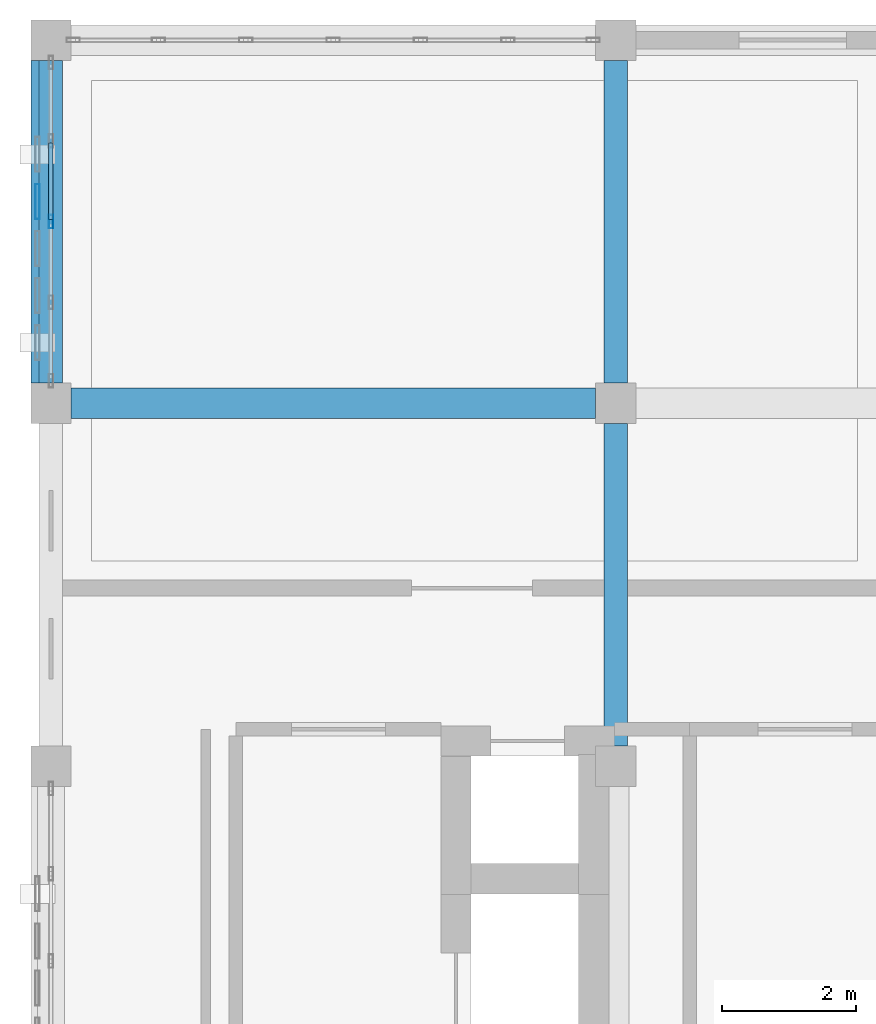
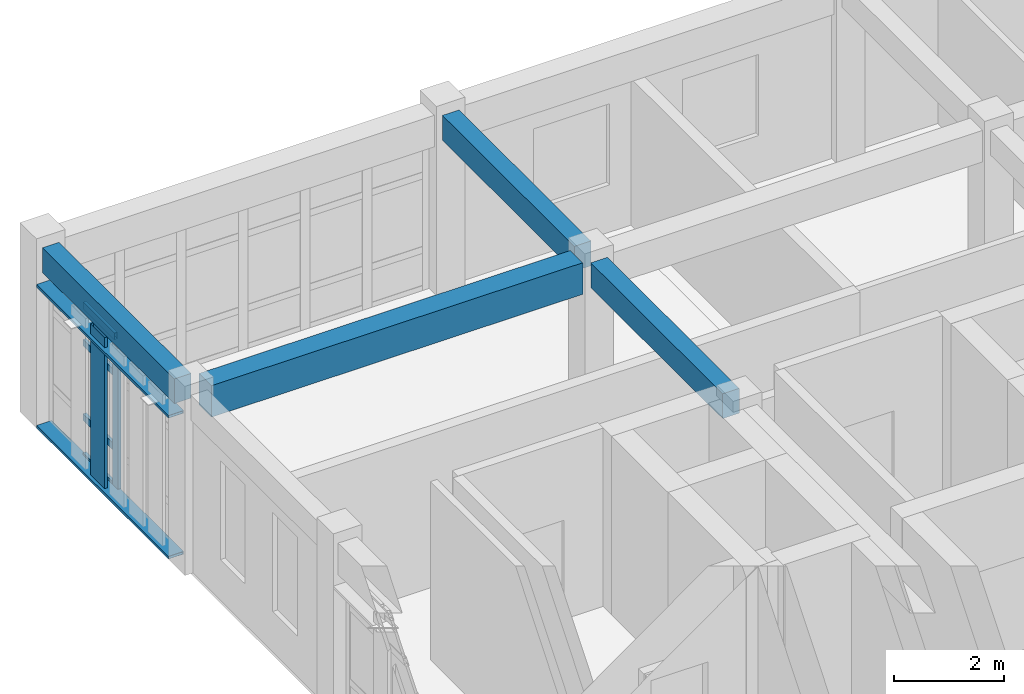
# One storey, part 10 of 21: 8 members, 4 beams, 1 element without a shape of its own.
"""IFC4 building model written with IfcOpenShell, lengths in metres."""

from ifc_helpers import new_model, si_unit, direction, frame, origin, origin_2d, place, context, subcontext, project, spatial, rectangle, hollow_rectangle, extrude, material, layer, layer_set, material_profile, profile_set, type_object, element, aggregate, save


model = new_model("IFC4")

# Units and contexts
model_context = context("Model", 3, precision=1e-05, world=origin(), true_north=direction((0.0, 1.0)))
body_context = subcontext(model_context, "Body", "Model", "MODEL_VIEW")
ifc_project = project(units=[si_unit("LENGTHUNIT", "METRE"), si_unit("AREAUNIT", "SQUARE_METRE"), si_unit("VOLUMEUNIT", "CUBIC_METRE"), si_unit("PLANEANGLEUNIT", "RADIAN"), si_unit("MASSUNIT", "GRAM", prefix="KILO")], contexts=[model_context])

# Site, building, storey
site_placement = place(None, origin())
site = spatial("IfcSite", under=ifc_project, at=site_placement, CompositionType="ELEMENT")
building_placement = place(site_placement, origin())
building = spatial("IfcBuilding", under=site, at=building_placement, Name="Krzemoval Escarpment Law Courts", CompositionType="ELEMENT")
storey_placement = place(building_placement, frame((0.0, 0.0, 37.800048828125)))
storey = spatial("IfcBuildingStorey", under=building, at=storey_placement, Name="L08", CompositionType="ELEMENT", Elevation=37.800048828125)

# Beams
ifc_material_1 = material(Name="Concrete C40/50", Category="concrete")
ifc_material_profile_1 = material_profile(ifc_material_1, rectangle(XDim=0.35009765625, YDim=0.550048828125, at=origin_2d()), Name="RCB 350x550")
ifc_profile_set_1 = profile_set([ifc_material_profile_1], Name="Concrete C40/50")
beam_type_1 = type_object("IfcBeamType", Name="BM-RC-350x550", PredefinedType="BEAM", material=ifc_profile_set_1)
for number, where, z_axis, x_axis, name in (
    (1, (126.0, 113.699951171875, 3.68505859375), (0.0, 1.0, 0.0), (-1.0, 0.0, 0.0), "Beam FG-L08-2763"),
    (2, (134.39990234375, 108.300048828125, 3.68505859375), (0.0, 1.0, 0.0), (-1.0, 0.0, 0.0), "Beam FG-L08-2767"),
    (3, (134.39990234375, 113.699951171875, 3.68505859375), (0.0, 1.0, 0.0), (-1.0, 0.0, 0.0), "Beam FG-L08-2768"),
):
    element("IfcBeam", number, at=place(storey_placement, frame(where, z_axis=z_axis, x_axis=x_axis)), inside=storey, type_object=beam_type_1, Name=name, PredefinedType="BEAM", context=body_context, shape_type="SweptSolid", body=[
        extrude(rectangle(XDim=0.35009765625, YDim=0.550048828125, at=origin_2d()), origin(), (0.0, 0.0, 1.0), 4.800048828125),
    ])
ifc_material_2 = material(Name="Concrete C40/50", Category="concrete")
ifc_material_profile_2 = material_profile(ifc_material_2, rectangle(XDim=0.449951171875, YDim=0.699951171875, at=origin_2d()), Name="RCB 450x700")
ifc_profile_set_2 = profile_set([ifc_material_profile_2], Name="Concrete C40/50")
beam_type_2 = type_object("IfcBeamType", Name="BM-RC-450x700", PredefinedType="BEAM", material=ifc_profile_set_2)
beam_placement = place(storey_placement, frame((126.300048828125, 113.39990234375, 3.60986328125), z_axis=(1.0, 0.0, 0.0), x_axis=(0.0, 1.0, 0.0)))
element("IfcBeam", 4, at=beam_placement, inside=storey, type_object=beam_type_2, Name="Beam FG-L08-2751", PredefinedType="BEAM", context=body_context, shape_type="SweptSolid", body=[
    extrude(rectangle(XDim=0.449951171875, YDim=0.699951171875, at=origin_2d()), origin(), (0.0, 0.0, 1.0), 7.800048828125),
])

# Curtain wall, members
ifc_material_3 = material(Name="Aluminium 6063-T6", Category="aluminium")
ifc_layer = layer(ifc_material_3, 0.219970703125)
ifc_layer_set = layer_set([ifc_layer], Name="Aluminium 6063-T6")
curtain_wall_type = type_object("IfcCurtainWallType", Name="CW-CHMB-4200", PredefinedType="USERDEFINED", material=ifc_layer_set)
curtain_wall_placement = place(storey_placement, origin())
curtain_wall = element("IfcCurtainWall", 5, at=curtain_wall_placement, inside=storey, type_object=curtain_wall_type, Name="Unitised Curtain Wall FCW-L08-164", ObjectType="UNITISED_CURTAIN_WALL", PredefinedType="USERDEFINED")
ifc_material_4 = material(Name="Aluminium 6063-T6", Category="aluminium")
ifc_material_profile_3 = material_profile(ifc_material_4, hollow_rectangle(XDim=0.06494140625, YDim=0.199951171875, WallThickness=0.00439453125, at=origin_2d()), Name="ALU M65x200")
ifc_profile_set_3 = profile_set([ifc_material_profile_3], Name="Aluminium 6063-T6")
member_type_1 = type_object("IfcMemberType", Name="CWM-65x200", PredefinedType="MULLION", material=ifc_profile_set_3)
member_1_placement = place(storey_placement, frame((126.0, 116.10009765625, 0.0), z_axis=(0.0, 0.0, 1.0), x_axis=(-1.0, 0.0, 0.0)))
member_1 = element("IfcMember", 6, at=member_1_placement, type_object=member_type_1, Name="FCW-L08-164 mullion 3", PredefinedType="MULLION", context=body_context, shape_type="SweptSolid", body=[
    extrude(hollow_rectangle(XDim=0.06494140625, YDim=0.199951171875, WallThickness=0.00439453125, at=origin_2d()), origin(), (0.0, 0.0, 1.0), 3.409912109375),
])
ifc_material_5 = material(Name="Aluminium 6063-T6", Category="aluminium")
ifc_material_profile_4 = material_profile(ifc_material_5, hollow_rectangle(XDim=0.06494140625, YDim=0.14990234375, WallThickness=0.00439453125, at=origin_2d()), Name="ALU T65x150")
ifc_profile_set_4 = profile_set([ifc_material_profile_4], Name="Aluminium 6063-T6")
member_type_2 = type_object("IfcMemberType", Name="CWT-65x150", PredefinedType="USERDEFINED", material=ifc_profile_set_4)
member_2_placement = place(storey_placement, frame((126.0, 116.132568359375, 0.032470703125), z_axis=(0.0, 1.0, 0.0), x_axis=(-1.0, 0.0, 0.0)))
member_2 = element("IfcMember", 7, at=member_2_placement, type_object=member_type_2, Name="FCW-L08-164 transom 3.1", ObjectType="TRANSOM", PredefinedType="USERDEFINED", context=body_context, shape_type="SweptSolid", body=[
    extrude(hollow_rectangle(XDim=0.06494140625, YDim=0.14990234375, WallThickness=0.00439453125, at=origin_2d()), origin(), (0.0, 0.0, 1.0), 1.135009765625),
])
member_3_placement = place(storey_placement, frame((126.0, 116.132568359375, 0.89990234375), z_axis=(0.0, 1.0, 0.0), x_axis=(-1.0, 0.0, 0.0)))
member_3 = element("IfcMember", 8, at=member_3_placement, type_object=member_type_2, Name="FCW-L08-164 transom 3.2", ObjectType="TRANSOM", PredefinedType="USERDEFINED", context=body_context, shape_type="SweptSolid", body=[
    extrude(hollow_rectangle(XDim=0.06494140625, YDim=0.14990234375, WallThickness=0.00439453125, at=origin_2d()), origin(), (0.0, 0.0, 1.0), 1.135009765625),
])
member_4_placement = place(storey_placement, frame((126.0, 116.132568359375, 2.550048828125), z_axis=(0.0, 1.0, 0.0), x_axis=(-1.0, 0.0, 0.0)))
member_4 = element("IfcMember", 9, at=member_4_placement, type_object=member_type_2, Name="FCW-L08-164 transom 3.3", ObjectType="TRANSOM", PredefinedType="USERDEFINED", context=body_context, shape_type="SweptSolid", body=[
    extrude(hollow_rectangle(XDim=0.06494140625, YDim=0.14990234375, WallThickness=0.00439453125, at=origin_2d()), origin(), (0.0, 0.0, 1.0), 1.135009765625),
])
member_5_placement = place(storey_placement, frame((126.0, 116.132568359375, 3.37744140625), z_axis=(0.0, 1.0, 0.0), x_axis=(-1.0, 0.0, 0.0)))
member_5 = element("IfcMember", 10, at=member_5_placement, type_object=member_type_2, Name="FCW-L08-164 transom 3.4", ObjectType="TRANSOM", PredefinedType="USERDEFINED", context=body_context, shape_type="SweptSolid", body=[
    extrude(hollow_rectangle(XDim=0.06494140625, YDim=0.14990234375, WallThickness=0.00439453125, at=origin_2d()), origin(), (0.0, 0.0, 1.0), 1.135009765625),
])
aggregate(curtain_wall, [member_1, member_2, member_3, member_4, member_5])

# Members
ifc_material_6 = material(Name="Anodised Aluminium Alloy 6063-T6", Category="aluminium")
ifc_material_profile_5 = material_profile(ifc_material_6, hollow_rectangle(XDim=0.06005859375, YDim=0.320068359375, WallThickness=0.00390625, at=origin_2d()), Name="ALU LVR 60x320")
ifc_profile_set_5 = profile_set([ifc_material_profile_5], Name="Anodised Aluminium Alloy 6063-T6")
member_type_3 = type_object("IfcMemberType", Name="LVR-ALU-320", PredefinedType="USERDEFINED", material=ifc_profile_set_5)
for number, where, z_axis, x_axis, name in (
    (11, (125.860107421875, 113.699951171875, 0.030029296875), (0.0, 1.0, 0.0), (0.0, 0.0, 1.0), "Sunshade Support Rail FSR-L08-1089"),
    (12, (125.860107421875, 113.699951171875, 3.159912109375), (0.0, 1.0, 0.0), (0.0, 0.0, 1.0), "Sunshade Support Rail FSR-L08-1090"),
):
    element("IfcMember", number, at=place(storey_placement, frame(where, z_axis=z_axis, x_axis=x_axis)), inside=storey, type_object=member_type_3, Name=name, ObjectType="SUNSHADE_LOUVRE", PredefinedType="USERDEFINED", context=body_context, shape_type="SweptSolid", body=[
        extrude(hollow_rectangle(XDim=0.06005859375, YDim=0.320068359375, WallThickness=0.00390625, at=origin_2d()), origin(), (0.0, 0.0, 1.0), 4.800048828125),
    ])
ifc_material_7 = material(Name="Anodised Aluminium Alloy 6063-T6", Category="aluminium")
ifc_material_profile_6 = material_profile(ifc_material_7, hollow_rectangle(XDim=0.06494140625, YDim=0.52001953125, WallThickness=0.00439453125, at=origin_2d()), Name="ALU LVR 65x520")
ifc_profile_set_6 = profile_set([ifc_material_profile_6], Name="Anodised Aluminium Alloy 6063-T6")
member_type_4 = type_object("IfcMemberType", Name="LVR-ALU-520", PredefinedType="USERDEFINED", material=ifc_profile_set_6)
member_6_placement = place(storey_placement, frame((125.800048828125, 116.39990234375, 0.06005859375), z_axis=(0.0, 0.0, 1.0), x_axis=(1.0, 0.0, 0.0)))
element("IfcMember", 13, at=member_6_placement, inside=storey, type_object=member_type_4, Name="Sunshade Louvre Fin FLV-L08-1094", ObjectType="SUNSHADE_LOUVRE", PredefinedType="USERDEFINED", context=body_context, shape_type="SweptSolid", body=[
    extrude(hollow_rectangle(XDim=0.06494140625, YDim=0.52001953125, WallThickness=0.00439453125, at=origin_2d()), origin(), (0.0, 0.0, 1.0), 3.349853515625),
])

save(model, "model.ifc")
